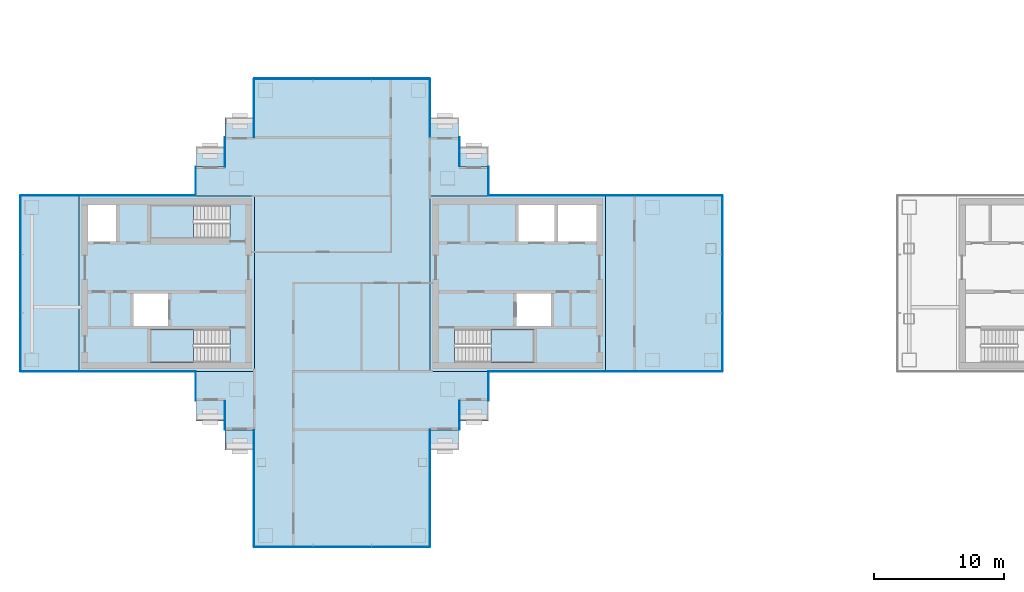
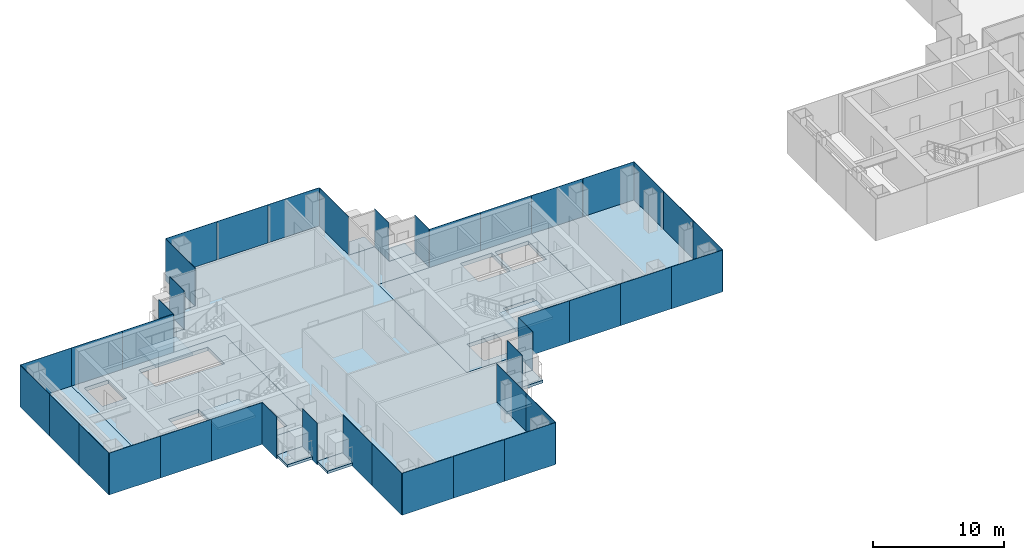
# One storey, part 7 of 16: 40 plates, 16 slabs, 23 elements without a shape of their own.
"""IFC4 building model written with IfcOpenShell, lengths in metres."""

from ifc_helpers import new_model, si_unit, direction, frame, origin, origin_2d, place, context, subcontext, project, spatial, polyline, rectangle, outline, extrude, material, layer, layer_set, type_object, element, aggregate, save


model = new_model("IFC4")

# Units and contexts
model_context = context("Model", 3, precision=1e-05, world=origin(), true_north=direction((0.0, 1.0)))
body_context = subcontext(model_context, "Body", "Model", "MODEL_VIEW")
ifc_project = project(units=[si_unit("LENGTHUNIT", "METRE"), si_unit("AREAUNIT", "SQUARE_METRE"), si_unit("VOLUMEUNIT", "CUBIC_METRE"), si_unit("PLANEANGLEUNIT", "RADIAN"), si_unit("MASSUNIT", "GRAM", prefix="KILO")], contexts=[model_context])

# Site, building, storey
site_placement = place(None, origin())
site = spatial("IfcSite", under=ifc_project, at=site_placement, CompositionType="ELEMENT")
building_placement = place(site_placement, origin())
building = spatial("IfcBuilding", under=site, at=building_placement, Name="Shamsa Quay Exchange Towers", CompositionType="ELEMENT")
storey_placement = place(building_placement, frame((0.0, 0.0, 142.800048828125)))
storey = spatial("IfcBuildingStorey", under=building, at=storey_placement, Name="L33", CompositionType="ELEMENT", Elevation=142.800048828125)

# Slabs
ifc_material_1 = material(Name="Precast concrete C40/50", Category="concrete")
ifc_layer_1 = layer(ifc_material_1, 0.25)
ifc_layer_set_1 = layer_set([ifc_layer_1], Name="BALCONY SLAB 250")
slab_type_1 = type_object("IfcSlabType", Name="BALCONY SLAB 250", PredefinedType="FLOOR", material=ifc_layer_set_1)
slab_1_placement = place(storey_placement, frame((0.0, 0.0, -0.25)))
element("IfcSlab", 1, at=slab_1_placement, inside=storey, type_object=slab_type_1, Name="Balcony T1-PKEN L33", PredefinedType="FLOOR", context=body_context, shape_type="SweptSolid", body=[
    extrude(outline(polyline([(-22.5, 9.0), (-24.7119140625, 9.0), (-24.7119140625, 10.550048828125), (-22.5, 10.550048828125), (-22.5, 9.0)])), origin(), (0.0, 0.0, 1.0), 0.25),
])
slab_2_placement = place(storey_placement, frame((0.0, 0.0, -0.25)))
element("IfcSlab", 2, at=slab_2_placement, inside=storey, type_object=slab_type_1, Name="Balcony T1-PKEN L33", PredefinedType="FLOOR", context=body_context, shape_type="SweptSolid", body=[
    extrude(outline(polyline([(-24.75, 11.25), (-26.9619140625, 11.25), (-26.9619140625, 12.800048828125), (-24.75, 12.800048828125), (-24.75, 11.25)])), origin(), (0.0, 0.0, 1.0), 0.25),
])
slab_3_placement = place(storey_placement, frame((0.0, 0.0, -0.25)))
element("IfcSlab", 3, at=slab_3_placement, inside=storey, type_object=slab_type_1, Name="Balcony T1-PKES L33", PredefinedType="FLOOR", context=body_context, shape_type="SweptSolid", body=[
    extrude(outline(polyline([(-24.7119140625, -9.0), (-22.5, -9.0), (-22.5, -10.550048828125), (-24.7119140625, -10.550048828125), (-24.7119140625, -9.0)])), origin(), (0.0, 0.0, 1.0), 0.25),
])
slab_4_placement = place(storey_placement, frame((0.0, 0.0, -0.25)))
element("IfcSlab", 4, at=slab_4_placement, inside=storey, type_object=slab_type_1, Name="Balcony T1-PKES L33", PredefinedType="FLOOR", context=body_context, shape_type="SweptSolid", body=[
    extrude(outline(polyline([(-26.9619140625, -11.25), (-24.75, -11.25), (-24.75, -12.800048828125), (-26.9619140625, -12.800048828125), (-26.9619140625, -11.25)])), origin(), (0.0, 0.0, 1.0), 0.25),
])
slab_5_placement = place(storey_placement, frame((0.0, 0.0, -0.25)))
element("IfcSlab", 5, at=slab_5_placement, inside=storey, type_object=slab_type_1, Name="Balcony T1-PKWN L33", PredefinedType="FLOOR", context=body_context, shape_type="SweptSolid", body=[
    extrude(outline(polyline([(-40.5380859375, 11.25), (-42.75, 11.25), (-42.75, 12.800048828125), (-40.5380859375, 12.800048828125), (-40.5380859375, 11.25)])), origin(), (0.0, 0.0, 1.0), 0.25),
])
slab_6_placement = place(storey_placement, frame((0.0, 0.0, -0.25)))
element("IfcSlab", 6, at=slab_6_placement, inside=storey, type_object=slab_type_1, Name="Balcony T1-PKWN L33", PredefinedType="FLOOR", context=body_context, shape_type="SweptSolid", body=[
    extrude(outline(polyline([(-42.7880859375, 9.0), (-45.0, 9.0), (-45.0, 10.550048828125), (-42.7880859375, 10.550048828125), (-42.7880859375, 9.0)])), origin(), (0.0, 0.0, 1.0), 0.25),
])
slab_7_placement = place(storey_placement, frame((0.0, 0.0, -0.25)))
element("IfcSlab", 7, at=slab_7_placement, inside=storey, type_object=slab_type_1, Name="Balcony T1-PKWS L33", PredefinedType="FLOOR", context=body_context, shape_type="SweptSolid", body=[
    extrude(outline(polyline([(-45.0, -9.0), (-42.7880859375, -9.0), (-42.7880859375, -10.550048828125), (-45.0, -10.550048828125), (-45.0, -9.0)])), origin(), (0.0, 0.0, 1.0), 0.25),
])
slab_8_placement = place(storey_placement, frame((0.0, 0.0, -0.25)))
element("IfcSlab", 8, at=slab_8_placement, inside=storey, type_object=slab_type_1, Name="Balcony T1-PKWS L33", PredefinedType="FLOOR", context=body_context, shape_type="SweptSolid", body=[
    extrude(outline(polyline([(-42.75, -11.25), (-40.5380859375, -11.25), (-40.5380859375, -12.800048828125), (-42.75, -12.800048828125), (-42.75, -11.25)])), origin(), (0.0, 0.0, 1.0), 0.25),
])
ifc_material_2 = material(Name="Concrete C50/60", Category="concrete")
ifc_layer_2 = layer(ifc_material_2, 0.35009765625)
ifc_layer_set_2 = layer_set([ifc_layer_2], Name="CORE FLOOR 350 C50/60")
slab_type_2 = type_object("IfcSlabType", Name="CORE FLOOR 350 C50/60", PredefinedType="FLOOR", material=ifc_layer_set_2)
slab_9_placement = place(storey_placement, frame((0.0, 0.0, -0.35009765625)))
element("IfcSlab", 9, at=slab_9_placement, inside=storey, type_object=slab_type_2, Name="Core floor T1A", PredefinedType="FLOOR", context=body_context, shape_type="SweptSolid", body=[
    extrude(outline(polyline([(-27.0, -6.75), (-13.5, -6.75), (-13.5, 6.75), (-27.0, 6.75), (-27.0, -6.75)]), holes=[polyline([(-25.099365234375, -6.050048828125), (-25.099365234375, -3.5), (-19.0, -3.5), (-19.0, -6.050048828125), (-25.099365234375, -6.050048828125)]), polyline([(-20.199951171875, 3.25), (-20.199951171875, 6.050048828125), (-17.39990234375, 6.050048828125), (-17.39990234375, 3.25), (-20.199951171875, 3.25)]), polyline([(-17.14990234375, 3.25), (-17.14990234375, 6.050048828125), (-14.199951171875, 6.050048828125), (-14.199951171875, 3.25), (-17.14990234375, 3.25)]), polyline([(-20.35009765625, -3.25), (-20.35009765625, -0.75), (-17.699951171875, -0.75), (-17.699951171875, -3.25), (-20.35009765625, -3.25)])]), origin(), (0.0, 0.0, 1.0), 0.35009765625),
])
slab_10_placement = place(storey_placement, frame((0.0, 0.0, -0.35009765625)))
element("IfcSlab", 10, at=slab_10_placement, inside=storey, type_object=slab_type_2, Name="Core floor T1B", PredefinedType="FLOOR", context=body_context, shape_type="SweptSolid", body=[
    extrude(outline(polyline([(-40.5, -6.75), (-40.5, 6.75), (-54.0, 6.75), (-54.0, -6.75), (-40.5, -6.75)]), holes=[polyline([(-42.400634765625, -3.5), (-42.400634765625, -6.050048828125), (-48.5, -6.050048828125), (-48.5, -3.5), (-42.400634765625, -3.5)]), polyline([(-42.400634765625, 6.050048828125), (-42.400634765625, 3.5), (-48.5, 3.5), (-48.5, 6.050048828125), (-42.400634765625, 6.050048828125)]), polyline([(-51.14990234375, 3.25), (-53.300048828125, 3.25), (-53.300048828125, 6.050048828125), (-51.14990234375, 6.050048828125), (-51.14990234375, 3.25)]), polyline([(-47.14990234375, -3.25), (-49.800048828125, -3.25), (-49.800048828125, -0.75), (-47.14990234375, -0.75), (-47.14990234375, -3.25)])]), origin(), (0.0, 0.0, 1.0), 0.35009765625),
])

# Stair, slab
ifc_material_3 = material(Name="Concrete C40/50", Category="concrete")
stair_type = type_object("IfcStairType", Name="EXIT STAIR 22 RISERS 177 MM", PredefinedType="HALF_TURN_STAIR", material=ifc_material_3)
stair_1_placement = place(storey_placement, origin())
stair_1 = element("IfcStair", 11, at=stair_1_placement, inside=storey, type_object=stair_type, Name="L33 Exit stair ST1", PredefinedType="HALF_TURN_STAIR")
ifc_layer_3 = layer(ifc_material_3, 0.199951171875)
ifc_layer_set_3 = layer_set([ifc_layer_3], Name="CORE STAIR LANDING")
slab_type_3 = type_object("IfcSlabType", Name="CORE STAIR LANDING", PredefinedType="LANDING", material=ifc_layer_set_3)
slab_11_placement = place(storey_placement, frame((0.0, 0.0, 1.75)))
slab_11 = element("IfcSlab", 12, at=slab_11_placement, type_object=slab_type_3, Name="ST1 landing 1", PredefinedType="LANDING", context=body_context, shape_type="SweptSolid", body=[
    extrude(outline(polyline([(-22.300048828125, -6.050048828125), (-19.0, -6.050048828125), (-19.0, -3.5), (-22.300048828125, -3.5), (-22.300048828125, -6.050048828125)])), origin(), (0.0, 0.0, 1.0), 0.199951171875),
])
aggregate(stair_1, [slab_11])

stair_2_placement = place(storey_placement, origin())
stair_2 = element("IfcStair", 13, at=stair_2_placement, inside=storey, type_object=stair_type, Name="L33 Exit stair ST2", PredefinedType="HALF_TURN_STAIR")
slab_12_placement = place(storey_placement, frame((0.0, 0.0, 1.75)))
slab_12 = element("IfcSlab", 14, at=slab_12_placement, type_object=slab_type_3, Name="ST2 landing 1", PredefinedType="LANDING", context=body_context, shape_type="SweptSolid", body=[
    extrude(outline(polyline([(-45.199951171875, -3.5), (-48.5, -3.5), (-48.5, -6.050048828125), (-45.199951171875, -6.050048828125), (-45.199951171875, -3.5)])), origin(), (0.0, 0.0, 1.0), 0.199951171875),
])
aggregate(stair_2, [slab_12])

stair_3_placement = place(storey_placement, origin())
stair_3 = element("IfcStair", 15, at=stair_3_placement, inside=storey, type_object=stair_type, Name="L33 Exit stair ST3", PredefinedType="HALF_TURN_STAIR")
slab_13_placement = place(storey_placement, frame((0.0, 0.0, 1.75)))
slab_13 = element("IfcSlab", 16, at=slab_13_placement, type_object=slab_type_3, Name="ST3 landing 1", PredefinedType="LANDING", context=body_context, shape_type="SweptSolid", body=[
    extrude(outline(polyline([(-45.199951171875, 6.050048828125), (-48.5, 6.050048828125), (-48.5, 3.5), (-45.199951171875, 3.5), (-45.199951171875, 6.050048828125)])), origin(), (0.0, 0.0, 1.0), 0.199951171875),
])
aggregate(stair_3, [slab_13])

# Curtain wall, plates
ifc_material_4 = material(Name="Aluminium EN AW-6063 T6, black anodised", Category="aluminium")
ifc_layer_4 = layer(ifc_material_4, 0.280029296875)
ifc_layer_set_4 = layer_set([ifc_layer_4], Name="CW-1 UNITISED VISION GLASS")
curtain_wall_type_1 = type_object("IfcCurtainWallType", Name="CW-1 UNITISED VISION GLASS", PredefinedType="NOTDEFINED", material=ifc_layer_set_4)
curtain_wall_1_placement = place(storey_placement, origin())
curtain_wall_1 = element("IfcCurtainWall", 17, at=curtain_wall_1_placement, inside=storey, type_object=curtain_wall_type_1, Name="CW1 T1-FLK-V-W L33", PredefinedType="NOTDEFINED")
ifc_material_5 = material(Name="Glass, laminated, dark tinted", Category="glass")
ifc_layer_5 = layer(ifc_material_5, 0.0400390625)
ifc_layer_set_5 = layer_set([ifc_layer_5], Name="CW-1 VISION GLASS 40")
plate_type_1 = type_object("IfcPlateType", Name="CW-1 VISION GLASS 40", PredefinedType="CURTAIN_PANEL", material=ifc_layer_set_5)
plate_1_placement = place(storey_placement, frame((-40.52001953125, -13.52587890625, -0.35009765625), z_axis=(0.0, 0.0, 1.0), x_axis=(0.0, -1.0, 0.0)))
plate_1 = element("IfcPlate", 18, at=plate_1_placement, type_object=plate_type_1, Name="CW1 glass panel", PredefinedType="CURTAIN_PANEL", context=body_context, shape_type="SweptSolid", body=[
    extrude(rectangle(XDim=4.47607421875, YDim=0.0400390625, at=origin_2d()), origin(), (0.0, 0.0, 1.0), 3.89990234375),
])
plate_2_placement = place(storey_placement, frame((-40.52001953125, -18.011962890625, -0.35009765625), z_axis=(0.0, 0.0, 1.0), x_axis=(0.0, -1.0, 0.0)))
plate_2 = element("IfcPlate", 19, at=plate_2_placement, type_object=plate_type_1, Name="CW1 glass panel", PredefinedType="CURTAIN_PANEL", context=body_context, shape_type="SweptSolid", body=[
    extrude(rectangle(XDim=4.47607421875, YDim=0.0400390625, at=origin_2d()), origin(), (0.0, 0.0, 1.0), 3.89990234375),
])
aggregate(curtain_wall_1, [plate_1, plate_2])

curtain_wall_2_placement = place(storey_placement, origin())
curtain_wall_2 = element("IfcCurtainWall", 20, at=curtain_wall_2_placement, inside=storey, type_object=curtain_wall_type_1, Name="CW1 T1-END-V- L33", PredefinedType="NOTDEFINED")
plate_3_placement = place(storey_placement, frame((-38.25244140625, -20.27001953125, -0.35009765625)))
plate_3 = element("IfcPlate", 21, at=plate_3_placement, type_object=plate_type_1, Name="CW1 glass panel", PredefinedType="CURTAIN_PANEL", context=body_context, shape_type="SweptSolid", body=[
    extrude(rectangle(XDim=4.4951171875, YDim=0.0400390625, at=origin_2d()), origin(), (0.0, 0.0, 1.0), 3.89990234375),
])
plate_4_placement = place(storey_placement, frame((-33.75, -20.27001953125, -0.35009765625)))
plate_4 = element("IfcPlate", 22, at=plate_4_placement, type_object=plate_type_1, Name="CW1 glass panel", PredefinedType="CURTAIN_PANEL", context=body_context, shape_type="SweptSolid", body=[
    extrude(rectangle(XDim=4.489990234375, YDim=0.0400390625, at=origin_2d()), origin(), (0.0, 0.0, 1.0), 3.89990234375),
])
plate_5_placement = place(storey_placement, frame((-29.24755859375, -20.27001953125, -0.35009765625)))
plate_5 = element("IfcPlate", 23, at=plate_5_placement, type_object=plate_type_1, Name="CW1 glass panel", PredefinedType="CURTAIN_PANEL", context=body_context, shape_type="SweptSolid", body=[
    extrude(rectangle(XDim=4.4951171875, YDim=0.0400390625, at=origin_2d()), origin(), (0.0, 0.0, 1.0), 3.89990234375),
])
aggregate(curtain_wall_2, [plate_3, plate_4, plate_5])

curtain_wall_3_placement = place(storey_placement, origin())
curtain_wall_3 = element("IfcCurtainWall", 24, at=curtain_wall_3_placement, inside=storey, type_object=curtain_wall_type_1, Name="CW1 T1-FLK-V-E L33", PredefinedType="NOTDEFINED")
plate_6_placement = place(storey_placement, frame((-26.97998046875, -18.00244140625, -0.35009765625), z_axis=(0.0, 0.0, 1.0), x_axis=(0.0, 1.0, 0.0)))
plate_6 = element("IfcPlate", 25, at=plate_6_placement, type_object=plate_type_1, Name="CW1 glass panel", PredefinedType="CURTAIN_PANEL", context=body_context, shape_type="SweptSolid", body=[
    extrude(rectangle(XDim=4.4951171875, YDim=0.0400390625, at=origin_2d()), origin(), (0.0, 0.0, 1.0), 3.89990234375),
])
plate_7_placement = place(storey_placement, frame((-26.97998046875, -13.49755859375, -0.35009765625), z_axis=(0.0, 0.0, 1.0), x_axis=(0.0, 1.0, 0.0)))
plate_7 = element("IfcPlate", 26, at=plate_7_placement, type_object=plate_type_1, Name="CW1 glass panel", PredefinedType="CURTAIN_PANEL", context=body_context, shape_type="SweptSolid", body=[
    extrude(rectangle(XDim=4.4951171875, YDim=0.0400390625, at=origin_2d()), origin(), (0.0, 0.0, 1.0), 3.89990234375),
])
aggregate(curtain_wall_3, [plate_6, plate_7])

curtain_wall_4_placement = place(storey_placement, origin())
curtain_wall_4 = element("IfcCurtainWall", 27, at=curtain_wall_4_placement, inside=storey, type_object=curtain_wall_type_1, Name="CW1 T1-FLK-U+S L33", PredefinedType="NOTDEFINED")
plate_8_placement = place(storey_placement, frame((-11.25244140625, -6.77001953125, -0.35009765625)))
plate_8 = element("IfcPlate", 28, at=plate_8_placement, type_object=plate_type_1, Name="CW1 glass panel", PredefinedType="CURTAIN_PANEL", context=body_context, shape_type="SweptSolid", body=[
    extrude(rectangle(XDim=4.4951171875, YDim=0.0400390625, at=origin_2d()), origin(), (0.0, 0.0, 1.0), 3.89990234375),
])
plate_9_placement = place(storey_placement, frame((-6.74755859375, -6.77001953125, -0.35009765625)))
plate_9 = element("IfcPlate", 29, at=plate_9_placement, type_object=plate_type_1, Name="CW1 glass panel", PredefinedType="CURTAIN_PANEL", context=body_context, shape_type="SweptSolid", body=[
    extrude(rectangle(XDim=4.4951171875, YDim=0.0400390625, at=origin_2d()), origin(), (0.0, 0.0, 1.0), 3.89990234375),
])
aggregate(curtain_wall_4, [plate_8, plate_9])

curtain_wall_5_placement = place(storey_placement, origin())
curtain_wall_5 = element("IfcCurtainWall", 30, at=curtain_wall_5_placement, inside=storey, type_object=curtain_wall_type_1, Name="CW1 T1-END-U+ L33", PredefinedType="NOTDEFINED")
plate_10_placement = place(storey_placement, frame((-4.47998046875, -4.50244140625, -0.35009765625), z_axis=(0.0, 0.0, 1.0), x_axis=(0.0, 1.0, 0.0)))
plate_10 = element("IfcPlate", 31, at=plate_10_placement, type_object=plate_type_1, Name="CW1 glass panel", PredefinedType="CURTAIN_PANEL", context=body_context, shape_type="SweptSolid", body=[
    extrude(rectangle(XDim=4.4951171875, YDim=0.0400390625, at=origin_2d()), origin(), (0.0, 0.0, 1.0), 3.89990234375),
])
plate_11_placement = place(storey_placement, frame((-4.47998046875, 0.0, -0.35009765625), z_axis=(0.0, 0.0, 1.0), x_axis=(0.0, 1.0, 0.0)))
plate_11 = element("IfcPlate", 32, at=plate_11_placement, type_object=plate_type_1, Name="CW1 glass panel", PredefinedType="CURTAIN_PANEL", context=body_context, shape_type="SweptSolid", body=[
    extrude(rectangle(XDim=4.489990234375, YDim=0.0400390625, at=origin_2d()), origin(), (0.0, 0.0, 1.0), 3.89990234375),
])
plate_12_placement = place(storey_placement, frame((-4.47998046875, 4.50244140625, -0.35009765625), z_axis=(0.0, 0.0, 1.0), x_axis=(0.0, 1.0, 0.0)))
plate_12 = element("IfcPlate", 33, at=plate_12_placement, type_object=plate_type_1, Name="CW1 glass panel", PredefinedType="CURTAIN_PANEL", context=body_context, shape_type="SweptSolid", body=[
    extrude(rectangle(XDim=4.4951171875, YDim=0.0400390625, at=origin_2d()), origin(), (0.0, 0.0, 1.0), 3.89990234375),
])
aggregate(curtain_wall_5, [plate_10, plate_11, plate_12])

curtain_wall_6_placement = place(storey_placement, origin())
curtain_wall_6 = element("IfcCurtainWall", 34, at=curtain_wall_6_placement, inside=storey, type_object=curtain_wall_type_1, Name="CW1 T1-FLK-U+N L33", PredefinedType="NOTDEFINED")
plate_13_placement = place(storey_placement, frame((-6.74755859375, 6.77001953125, -0.35009765625), z_axis=(0.0, 0.0, 1.0), x_axis=(-1.0, 0.0, 0.0)))
plate_13 = element("IfcPlate", 35, at=plate_13_placement, type_object=plate_type_1, Name="CW1 glass panel", PredefinedType="CURTAIN_PANEL", context=body_context, shape_type="SweptSolid", body=[
    extrude(rectangle(XDim=4.4951171875, YDim=0.0400390625, at=origin_2d()), origin(), (0.0, 0.0, 1.0), 3.89990234375),
])
plate_14_placement = place(storey_placement, frame((-11.25244140625, 6.77001953125, -0.35009765625), z_axis=(0.0, 0.0, 1.0), x_axis=(-1.0, 0.0, 0.0)))
plate_14 = element("IfcPlate", 36, at=plate_14_placement, type_object=plate_type_1, Name="CW1 glass panel", PredefinedType="CURTAIN_PANEL", context=body_context, shape_type="SweptSolid", body=[
    extrude(rectangle(XDim=4.4951171875, YDim=0.0400390625, at=origin_2d()), origin(), (0.0, 0.0, 1.0), 3.89990234375),
])
aggregate(curtain_wall_6, [plate_13, plate_14])

# Curtain wall, plate
curtain_wall_7_placement = place(storey_placement, origin())
curtain_wall_7 = element("IfcCurtainWall", 37, at=curtain_wall_7_placement, inside=storey, type_object=curtain_wall_type_1, Name="CW1 T1-FLK-V+E L33", PredefinedType="NOTDEFINED")
plate_15_placement = place(storey_placement, frame((-26.97998046875, 13.51904296875, -0.35009765625), z_axis=(0.0, 0.0, 1.0), x_axis=(0.0, 1.0, 0.0)))
plate_15 = element("IfcPlate", 38, at=plate_15_placement, type_object=plate_type_1, Name="CW1 glass panel", PredefinedType="CURTAIN_PANEL", context=body_context, shape_type="SweptSolid", body=[
    extrude(rectangle(XDim=4.4619140625, YDim=0.0400390625, at=origin_2d()), origin(), (0.0, 0.0, 1.0), 3.89990234375),
])
aggregate(curtain_wall_7, [plate_15])

# Curtain wall, plates
curtain_wall_8_placement = place(storey_placement, origin())
curtain_wall_8 = element("IfcCurtainWall", 39, at=curtain_wall_8_placement, inside=storey, type_object=curtain_wall_type_1, Name="CW1 T1-END-V+ L33", PredefinedType="NOTDEFINED")
plate_16_placement = place(storey_placement, frame((-29.24755859375, 15.77001953125, -0.35009765625), z_axis=(0.0, 0.0, 1.0), x_axis=(-1.0, 0.0, 0.0)))
plate_16 = element("IfcPlate", 40, at=plate_16_placement, type_object=plate_type_1, Name="CW1 glass panel", PredefinedType="CURTAIN_PANEL", context=body_context, shape_type="SweptSolid", body=[
    extrude(rectangle(XDim=4.4951171875, YDim=0.0400390625, at=origin_2d()), origin(), (0.0, 0.0, 1.0), 3.89990234375),
])
plate_17_placement = place(storey_placement, frame((-33.75, 15.77001953125, -0.35009765625), z_axis=(0.0, 0.0, 1.0), x_axis=(-1.0, 0.0, 0.0)))
plate_17 = element("IfcPlate", 41, at=plate_17_placement, type_object=plate_type_1, Name="CW1 glass panel", PredefinedType="CURTAIN_PANEL", context=body_context, shape_type="SweptSolid", body=[
    extrude(rectangle(XDim=4.489990234375, YDim=0.0400390625, at=origin_2d()), origin(), (0.0, 0.0, 1.0), 3.89990234375),
])
plate_18_placement = place(storey_placement, frame((-38.25244140625, 15.77001953125, -0.35009765625), z_axis=(0.0, 0.0, 1.0), x_axis=(-1.0, 0.0, 0.0)))
plate_18 = element("IfcPlate", 42, at=plate_18_placement, type_object=plate_type_1, Name="CW1 glass panel", PredefinedType="CURTAIN_PANEL", context=body_context, shape_type="SweptSolid", body=[
    extrude(rectangle(XDim=4.4951171875, YDim=0.0400390625, at=origin_2d()), origin(), (0.0, 0.0, 1.0), 3.89990234375),
])
aggregate(curtain_wall_8, [plate_16, plate_17, plate_18])

# Curtain wall, plate
curtain_wall_9_placement = place(storey_placement, origin())
curtain_wall_9 = element("IfcCurtainWall", 43, at=curtain_wall_9_placement, inside=storey, type_object=curtain_wall_type_1, Name="CW1 T1-FLK-V+W L33", PredefinedType="NOTDEFINED")
plate_19_placement = place(storey_placement, frame((-40.52001953125, 13.5, -0.35009765625), z_axis=(0.0, 0.0, 1.0), x_axis=(0.0, -1.0, 0.0)))
plate_19 = element("IfcPlate", 44, at=plate_19_placement, type_object=plate_type_1, Name="CW1 glass panel", PredefinedType="CURTAIN_PANEL", context=body_context, shape_type="SweptSolid", body=[
    extrude(rectangle(XDim=4.5, YDim=0.0400390625, at=origin_2d()), origin(), (0.0, 0.0, 1.0), 3.89990234375),
])
aggregate(curtain_wall_9, [plate_19])

curtain_wall_10_placement = place(storey_placement, origin())
curtain_wall_10 = element("IfcCurtainWall", 45, at=curtain_wall_10_placement, inside=storey, type_object=curtain_wall_type_1, Name="CW1 T1-FLK-U-N L33", PredefinedType="NOTDEFINED")
plate_20_placement = place(storey_placement, frame((-56.25, 6.77001953125, -0.35009765625), z_axis=(0.0, 0.0, 1.0), x_axis=(-1.0, 0.0, 0.0)))
plate_20 = element("IfcPlate", 46, at=plate_20_placement, type_object=plate_type_1, Name="CW1 glass panel", PredefinedType="CURTAIN_PANEL", context=body_context, shape_type="SweptSolid", body=[
    extrude(rectangle(XDim=4.5, YDim=0.0400390625, at=origin_2d()), origin(), (0.0, 0.0, 1.0), 3.89990234375),
])
aggregate(curtain_wall_10, [plate_20])

# Curtain wall, plates
curtain_wall_11_placement = place(storey_placement, origin())
curtain_wall_11 = element("IfcCurtainWall", 47, at=curtain_wall_11_placement, inside=storey, type_object=curtain_wall_type_1, Name="CW1 T1-END-U- L33", PredefinedType="NOTDEFINED")
plate_21_placement = place(storey_placement, frame((-58.52001953125, 4.50244140625, -0.35009765625), z_axis=(0.0, 0.0, 1.0), x_axis=(0.0, -1.0, 0.0)))
plate_21 = element("IfcPlate", 48, at=plate_21_placement, type_object=plate_type_1, Name="CW1 glass panel", PredefinedType="CURTAIN_PANEL", context=body_context, shape_type="SweptSolid", body=[
    extrude(rectangle(XDim=4.4951171875, YDim=0.0400390625, at=origin_2d()), origin(), (0.0, 0.0, 1.0), 3.89990234375),
])
plate_22_placement = place(storey_placement, frame((-58.52001953125, 0.0, -0.35009765625), z_axis=(0.0, 0.0, 1.0), x_axis=(0.0, -1.0, 0.0)))
plate_22 = element("IfcPlate", 49, at=plate_22_placement, type_object=plate_type_1, Name="CW1 glass panel", PredefinedType="CURTAIN_PANEL", context=body_context, shape_type="SweptSolid", body=[
    extrude(rectangle(XDim=4.489990234375, YDim=0.0400390625, at=origin_2d()), origin(), (0.0, 0.0, 1.0), 3.89990234375),
])
plate_23_placement = place(storey_placement, frame((-58.52001953125, -4.50244140625, -0.35009765625), z_axis=(0.0, 0.0, 1.0), x_axis=(0.0, -1.0, 0.0)))
plate_23 = element("IfcPlate", 50, at=plate_23_placement, type_object=plate_type_1, Name="CW1 glass panel", PredefinedType="CURTAIN_PANEL", context=body_context, shape_type="SweptSolid", body=[
    extrude(rectangle(XDim=4.4951171875, YDim=0.0400390625, at=origin_2d()), origin(), (0.0, 0.0, 1.0), 3.89990234375),
])
aggregate(curtain_wall_11, [plate_21, plate_22, plate_23])

# Curtain wall, plate
curtain_wall_12_placement = place(storey_placement, origin())
curtain_wall_12 = element("IfcCurtainWall", 51, at=curtain_wall_12_placement, inside=storey, type_object=curtain_wall_type_1, Name="CW1 T1-FLK-U-S L33", PredefinedType="NOTDEFINED")
plate_24_placement = place(storey_placement, frame((-56.25, -6.77001953125, -0.35009765625)))
plate_24 = element("IfcPlate", 52, at=plate_24_placement, type_object=plate_type_1, Name="CW1 glass panel", PredefinedType="CURTAIN_PANEL", context=body_context, shape_type="SweptSolid", body=[
    extrude(rectangle(XDim=4.5, YDim=0.0400390625, at=origin_2d()), origin(), (0.0, 0.0, 1.0), 3.89990234375),
])
aggregate(curtain_wall_12, [plate_24])

# Curtain wall, plates
ifc_layer_6 = layer(ifc_material_4, 0.303955078125)
ifc_layer_set_6 = layer_set([ifc_layer_6], Name="CW-2 UNITISED OPAQUE SPANDREL GLASS")
curtain_wall_type_2 = type_object("IfcCurtainWallType", Name="CW-2 UNITISED OPAQUE SPANDREL GLASS", PredefinedType="NOTDEFINED", material=ifc_layer_set_6)
curtain_wall_13_placement = place(storey_placement, origin())
curtain_wall_13 = element("IfcCurtainWall", 53, at=curtain_wall_13_placement, inside=storey, type_object=curtain_wall_type_2, Name="CW2 T1-FLK-U+S L33", PredefinedType="NOTDEFINED")
ifc_material_6 = material(Name="Glass, laminated, black enamelled opaque", Category="glass")
ifc_layer_7 = layer(ifc_material_6, 0.0439453125)
ifc_layer_set_7 = layer_set([ifc_layer_7], Name="CW-2 SPANDREL GLASS 44")
plate_type_2 = type_object("IfcPlateType", Name="CW-2 SPANDREL GLASS 44", PredefinedType="CURTAIN_PANEL", material=ifc_layer_set_7)
plate_25_placement = place(storey_placement, frame((-20.22412109375, -6.77197265625, -0.35009765625)))
plate_25 = element("IfcPlate", 54, at=plate_25_placement, type_object=plate_type_2, Name="CW2 glass panel", PredefinedType="CURTAIN_PANEL", context=body_context, shape_type="SweptSolid", body=[
    extrude(rectangle(XDim=4.47607421875, YDim=0.0439453125, at=origin_2d()), origin(), (0.0, 0.0, 1.0), 3.89990234375),
])
plate_26_placement = place(storey_placement, frame((-15.738037109375, -6.77197265625, -0.35009765625)))
plate_26 = element("IfcPlate", 55, at=plate_26_placement, type_object=plate_type_2, Name="CW2 glass panel", PredefinedType="CURTAIN_PANEL", context=body_context, shape_type="SweptSolid", body=[
    extrude(rectangle(XDim=4.47607421875, YDim=0.0439453125, at=origin_2d()), origin(), (0.0, 0.0, 1.0), 3.89990234375),
])
aggregate(curtain_wall_13, [plate_25, plate_26])

curtain_wall_14_placement = place(storey_placement, origin())
curtain_wall_14 = element("IfcCurtainWall", 56, at=curtain_wall_14_placement, inside=storey, type_object=curtain_wall_type_2, Name="CW2 T1-FLK-U+N L33", PredefinedType="NOTDEFINED")
plate_27_placement = place(storey_placement, frame((-15.74755859375, 6.77197265625, -0.35009765625), z_axis=(0.0, 0.0, 1.0), x_axis=(-1.0, 0.0, 0.0)))
plate_27 = element("IfcPlate", 57, at=plate_27_placement, type_object=plate_type_2, Name="CW2 glass panel", PredefinedType="CURTAIN_PANEL", context=body_context, shape_type="SweptSolid", body=[
    extrude(rectangle(XDim=4.4951171875, YDim=0.0439453125, at=origin_2d()), origin(), (0.0, 0.0, 1.0), 3.89990234375),
])
plate_28_placement = place(storey_placement, frame((-20.25244140625, 6.77197265625, -0.35009765625), z_axis=(0.0, 0.0, 1.0), x_axis=(-1.0, 0.0, 0.0)))
plate_28 = element("IfcPlate", 58, at=plate_28_placement, type_object=plate_type_2, Name="CW2 glass panel", PredefinedType="CURTAIN_PANEL", context=body_context, shape_type="SweptSolid", body=[
    extrude(rectangle(XDim=4.4951171875, YDim=0.0439453125, at=origin_2d()), origin(), (0.0, 0.0, 1.0), 3.89990234375),
])
aggregate(curtain_wall_14, [plate_27, plate_28])

curtain_wall_15_placement = place(storey_placement, origin())
curtain_wall_15 = element("IfcCurtainWall", 59, at=curtain_wall_15_placement, inside=storey, type_object=curtain_wall_type_2, Name="CW2 T1-FLK-U-N L33", PredefinedType="NOTDEFINED")
plate_29_placement = place(storey_placement, frame((-47.27587890625, 6.77197265625, -0.35009765625), z_axis=(0.0, 0.0, 1.0), x_axis=(-1.0, 0.0, 0.0)))
plate_29 = element("IfcPlate", 60, at=plate_29_placement, type_object=plate_type_2, Name="CW2 glass panel", PredefinedType="CURTAIN_PANEL", context=body_context, shape_type="SweptSolid", body=[
    extrude(rectangle(XDim=4.47607421875, YDim=0.0439453125, at=origin_2d()), origin(), (0.0, 0.0, 1.0), 3.89990234375),
])
plate_30_placement = place(storey_placement, frame((-51.761962890625, 6.77197265625, -0.35009765625), z_axis=(0.0, 0.0, 1.0), x_axis=(-1.0, 0.0, 0.0)))
plate_30 = element("IfcPlate", 61, at=plate_30_placement, type_object=plate_type_2, Name="CW2 glass panel", PredefinedType="CURTAIN_PANEL", context=body_context, shape_type="SweptSolid", body=[
    extrude(rectangle(XDim=4.47607421875, YDim=0.0439453125, at=origin_2d()), origin(), (0.0, 0.0, 1.0), 3.89990234375),
])
aggregate(curtain_wall_15, [plate_29, plate_30])

curtain_wall_16_placement = place(storey_placement, origin())
curtain_wall_16 = element("IfcCurtainWall", 62, at=curtain_wall_16_placement, inside=storey, type_object=curtain_wall_type_2, Name="CW2 T1-FLK-U-S L33", PredefinedType="NOTDEFINED")
plate_31_placement = place(storey_placement, frame((-51.75244140625, -6.77197265625, -0.35009765625)))
plate_31 = element("IfcPlate", 63, at=plate_31_placement, type_object=plate_type_2, Name="CW2 glass panel", PredefinedType="CURTAIN_PANEL", context=body_context, shape_type="SweptSolid", body=[
    extrude(rectangle(XDim=4.4951171875, YDim=0.0439453125, at=origin_2d()), origin(), (0.0, 0.0, 1.0), 3.89990234375),
])
plate_32_placement = place(storey_placement, frame((-47.24755859375, -6.77197265625, -0.35009765625)))
plate_32 = element("IfcPlate", 64, at=plate_32_placement, type_object=plate_type_2, Name="CW2 glass panel", PredefinedType="CURTAIN_PANEL", context=body_context, shape_type="SweptSolid", body=[
    extrude(rectangle(XDim=4.4951171875, YDim=0.0439453125, at=origin_2d()), origin(), (0.0, 0.0, 1.0), 3.89990234375),
])
aggregate(curtain_wall_16, [plate_31, plate_32])

ifc_layer_8 = layer(ifc_material_4, 0.256103515625)
ifc_layer_set_8 = layer_set([ifc_layer_8], Name="CW-4 POCKET SERRATED GLAZING")
curtain_wall_type_3 = type_object("IfcCurtainWallType", Name="CW-4 POCKET SERRATED GLAZING", PredefinedType="NOTDEFINED", material=ifc_layer_set_8)
curtain_wall_17_placement = place(storey_placement, origin())
curtain_wall_17 = element("IfcCurtainWall", 65, at=curtain_wall_17_placement, inside=storey, type_object=curtain_wall_type_3, Name="CW4 PKWS L33", PredefinedType="NOTDEFINED")
ifc_layer_9 = layer(ifc_material_5, 0.035888671875)
ifc_layer_set_9 = layer_set([ifc_layer_9], Name="CW-4 POCKET GLASS 36")
plate_type_3 = type_object("IfcPlateType", Name="CW-4 POCKET GLASS 36", PredefinedType="CURTAIN_PANEL", material=ifc_layer_set_9)
plate_33_placement = place(storey_placement, frame((-42.76806640625, -10.14404296875, -0.35009765625), z_axis=(0.0, 0.0, 1.0), x_axis=(0.0, -1.0, 0.0)))
plate_33 = element("IfcPlate", 66, at=plate_33_placement, type_object=plate_type_3, Name="CW4 glass panel", PredefinedType="CURTAIN_PANEL", context=body_context, shape_type="SweptSolid", body=[
    extrude(rectangle(XDim=2.2119140625, YDim=0.035888671875, at=origin_2d()), origin(), (0.0, 0.0, 1.0), 3.89990234375),
])
plate_34_placement = place(storey_placement, frame((-45.01806640625, -7.89794921875, -0.35009765625), z_axis=(0.0, 0.0, 1.0), x_axis=(0.0, -1.0, 0.0)))
plate_34 = element("IfcPlate", 67, at=plate_34_placement, type_object=plate_type_3, Name="CW4 glass panel", PredefinedType="CURTAIN_PANEL", context=body_context, shape_type="SweptSolid", body=[
    extrude(rectangle(XDim=2.2041015625, YDim=0.035888671875, at=origin_2d()), origin(), (0.0, 0.0, 1.0), 3.89990234375),
])
aggregate(curtain_wall_17, [plate_33, plate_34])

curtain_wall_18_placement = place(storey_placement, origin())
curtain_wall_18 = element("IfcCurtainWall", 68, at=curtain_wall_18_placement, inside=storey, type_object=curtain_wall_type_3, Name="CW4 PKES L33", PredefinedType="NOTDEFINED")
plate_35_placement = place(storey_placement, frame((-24.73193359375, -10.125, -0.35009765625), z_axis=(0.0, 0.0, 1.0), x_axis=(0.0, 1.0, 0.0)))
plate_35 = element("IfcPlate", 69, at=plate_35_placement, type_object=plate_type_3, Name="CW4 glass panel", PredefinedType="CURTAIN_PANEL", context=body_context, shape_type="SweptSolid", body=[
    extrude(rectangle(XDim=2.25, YDim=0.035888671875, at=origin_2d()), origin(), (0.0, 0.0, 1.0), 3.89990234375),
])
plate_36_placement = place(storey_placement, frame((-22.48193359375, -7.875, -0.35009765625), z_axis=(0.0, 0.0, 1.0), x_axis=(0.0, 1.0, 0.0)))
plate_36 = element("IfcPlate", 70, at=plate_36_placement, type_object=plate_type_3, Name="CW4 glass panel", PredefinedType="CURTAIN_PANEL", context=body_context, shape_type="SweptSolid", body=[
    extrude(rectangle(XDim=2.25, YDim=0.035888671875, at=origin_2d()), origin(), (0.0, 0.0, 1.0), 3.89990234375),
])
aggregate(curtain_wall_18, [plate_35, plate_36])

curtain_wall_19_placement = place(storey_placement, origin())
curtain_wall_19 = element("IfcCurtainWall", 71, at=curtain_wall_19_placement, inside=storey, type_object=curtain_wall_type_3, Name="CW4 PKEN L33", PredefinedType="NOTDEFINED")
plate_37_placement = place(storey_placement, frame((-22.48193359375, 7.89794921875, -0.35009765625), z_axis=(0.0, 0.0, 1.0), x_axis=(0.0, 1.0, 0.0)))
plate_37 = element("IfcPlate", 72, at=plate_37_placement, type_object=plate_type_3, Name="CW4 glass panel", PredefinedType="CURTAIN_PANEL", context=body_context, shape_type="SweptSolid", body=[
    extrude(rectangle(XDim=2.2041015625, YDim=0.035888671875, at=origin_2d()), origin(), (0.0, 0.0, 1.0), 3.89990234375),
])
plate_38_placement = place(storey_placement, frame((-24.73193359375, 10.14404296875, -0.35009765625), z_axis=(0.0, 0.0, 1.0), x_axis=(0.0, 1.0, 0.0)))
plate_38 = element("IfcPlate", 73, at=plate_38_placement, type_object=plate_type_3, Name="CW4 glass panel", PredefinedType="CURTAIN_PANEL", context=body_context, shape_type="SweptSolid", body=[
    extrude(rectangle(XDim=2.2119140625, YDim=0.035888671875, at=origin_2d()), origin(), (0.0, 0.0, 1.0), 3.89990234375),
])
aggregate(curtain_wall_19, [plate_37, plate_38])

curtain_wall_20_placement = place(storey_placement, origin())
curtain_wall_20 = element("IfcCurtainWall", 74, at=curtain_wall_20_placement, inside=storey, type_object=curtain_wall_type_3, Name="CW4 PKWN L33", PredefinedType="NOTDEFINED")
plate_39_placement = place(storey_placement, frame((-42.76806640625, 10.125, -0.35009765625), z_axis=(0.0, 0.0, 1.0), x_axis=(0.0, -1.0, 0.0)))
plate_39 = element("IfcPlate", 75, at=plate_39_placement, type_object=plate_type_3, Name="CW4 glass panel", PredefinedType="CURTAIN_PANEL", context=body_context, shape_type="SweptSolid", body=[
    extrude(rectangle(XDim=2.25, YDim=0.035888671875, at=origin_2d()), origin(), (0.0, 0.0, 1.0), 3.89990234375),
])
plate_40_placement = place(storey_placement, frame((-45.01806640625, 7.875, -0.35009765625), z_axis=(0.0, 0.0, 1.0), x_axis=(0.0, -1.0, 0.0)))
plate_40 = element("IfcPlate", 76, at=plate_40_placement, type_object=plate_type_3, Name="CW4 glass panel", PredefinedType="CURTAIN_PANEL", context=body_context, shape_type="SweptSolid", body=[
    extrude(rectangle(XDim=2.25, YDim=0.035888671875, at=origin_2d()), origin(), (0.0, 0.0, 1.0), 3.89990234375),
])
aggregate(curtain_wall_20, [plate_39, plate_40])

# Slabs
ifc_layer_10 = layer(ifc_material_3, 0.35009765625)
ifc_layer_set_10 = layer_set([ifc_layer_10], Name="Flat slab 350")
slab_type_4 = type_object("IfcSlabType", Name="Flat slab 350", PredefinedType="FLOOR", material=ifc_layer_set_10)
slab_14_placement = place(storey_placement, frame((0.0, 0.0, -0.35009765625)))
element("IfcSlab", 77, at=slab_14_placement, inside=storey, type_object=slab_type_4, Name="Flat slab T1 L33 1", PredefinedType="FLOOR", context=body_context, shape_type="SweptSolid", body=[
    extrude(outline(polyline([(-58.5, -6.75), (-54.0, -6.75), (-54.0, 6.75), (-58.5, 6.75), (-58.5, -6.75)])), origin(), (0.0, 0.0, 1.0), 0.35009765625),
])
slab_15_placement = place(storey_placement, frame((0.0, 0.0, -0.35009765625)))
element("IfcSlab", 78, at=slab_15_placement, inside=storey, type_object=slab_type_4, Name="Flat slab T1 L33 2", PredefinedType="FLOOR", context=body_context, shape_type="SweptSolid", body=[
    extrude(outline(polyline([(-22.5, -9.0), (-22.5, -6.75), (-27.0, -6.75), (-27.0, 6.75), (-22.5, 6.75), (-22.5, 9.0), (-24.75, 9.0), (-24.75, 11.25), (-27.0, 11.25), (-27.0, 15.75), (-40.5, 15.75), (-40.5, 11.25), (-42.75, 11.25), (-42.75, 9.0), (-45.0, 9.0), (-45.0, 6.75), (-40.5, 6.75), (-40.5, -6.75), (-45.0, -6.75), (-45.0, -9.0), (-42.75, -9.0), (-42.75, -11.25), (-40.5, -11.25), (-40.5, -20.25), (-27.0, -20.25), (-27.0, -11.25), (-24.75, -11.25), (-24.75, -9.0), (-22.5, -9.0)])), origin(), (0.0, 0.0, 1.0), 0.35009765625),
])
slab_16_placement = place(storey_placement, frame((0.0, 0.0, -0.35009765625)))
element("IfcSlab", 79, at=slab_16_placement, inside=storey, type_object=slab_type_4, Name="Flat slab T1 L33 3", PredefinedType="FLOOR", context=body_context, shape_type="SweptSolid", body=[
    extrude(outline(polyline([(-4.5, 6.75), (-13.5, 6.75), (-13.5, -6.75), (-4.5, -6.75), (-4.5, 6.75)])), origin(), (0.0, 0.0, 1.0), 0.35009765625),
])

save(model, "model.ifc")
